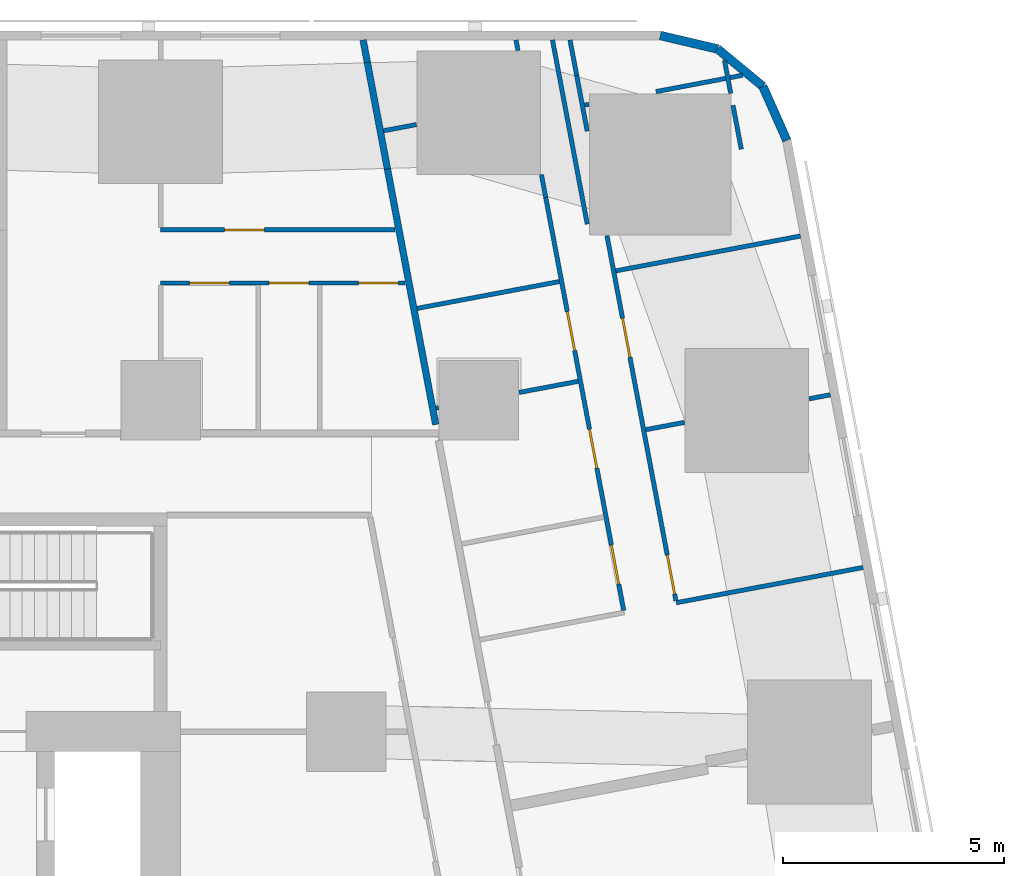
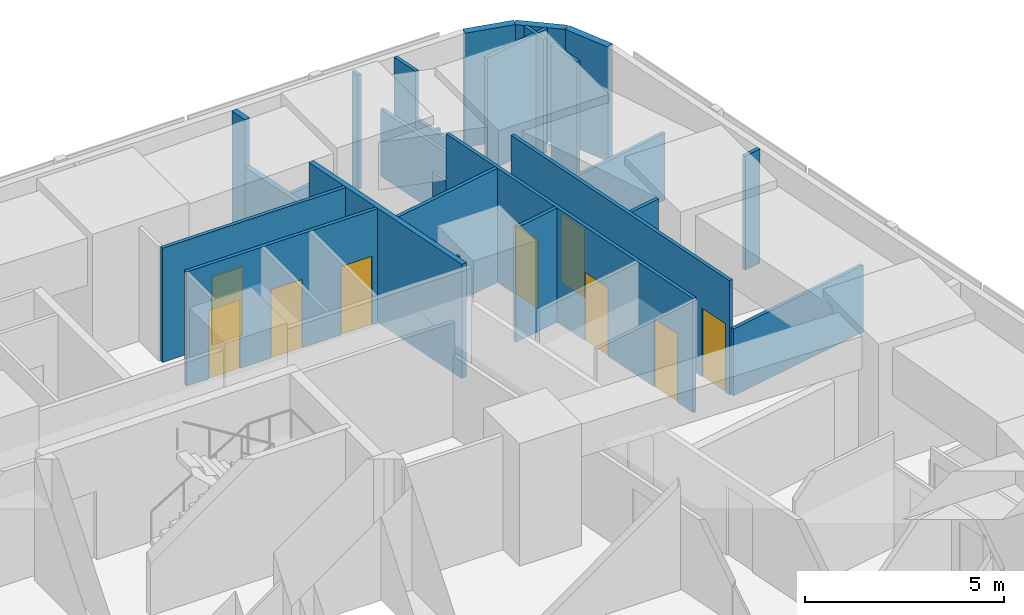
# One storey, part 13 of 18: 27 walls, 9 doors, 9 openings.
"""IFC4 building model written with IfcOpenShell, lengths in metres."""

from ifc_helpers import new_model, si_unit, direction, frame, frame_2d, origin, place, context, subcontext, project, spatial, rectangle, extrude, material, layer, layer_set, type_object, element, fill, save


model = new_model("IFC4")

# Units and contexts
model_context = context("Model", 3, precision=1e-05, world=origin(), true_north=direction((0.0, 1.0)))
body_context = subcontext(model_context, "Body", "Model", "MODEL_VIEW")
ifc_project = project(units=[si_unit("LENGTHUNIT", "METRE"), si_unit("AREAUNIT", "SQUARE_METRE"), si_unit("VOLUMEUNIT", "CUBIC_METRE"), si_unit("PLANEANGLEUNIT", "RADIAN"), si_unit("MASSUNIT", "GRAM", prefix="KILO")], contexts=[model_context])

# Site, building, storey
site_placement = place(None, origin())
site = spatial("IfcSite", under=ifc_project, at=site_placement, CompositionType="ELEMENT")
building_placement = place(site_placement, origin())
building = spatial("IfcBuilding", under=site, at=building_placement, Name="Sheger Commons Tower", CompositionType="ELEMENT")
storey_placement = place(building_placement, frame((0.0, 0.0, 38.75)))
storey = spatial("IfcBuildingStorey", under=building, at=storey_placement, Name="L09", CompositionType="ELEMENT", Elevation=38.75)

# Walls
ifc_material_1 = material(Name="Hollow concrete block masonry, skimmed both sides", Category="masonry")
ifc_layer_1 = layer(ifc_material_1, 0.14990234375)
ifc_layer_set_1 = layer_set([ifc_layer_1], Name="CORRIDOR WALL 150")
wall_type_1 = type_object("IfcWallType", Name="CORRIDOR WALL 150", PredefinedType="SOLIDWALL", material=ifc_layer_set_1)
wall_1_placement = place(storey_placement, frame((33.382080078125, 45.64990234375, 0.0), z_axis=(0.0, 0.0, 1.0), x_axis=(0.185657456326, -0.982614527122, 0.0)))
element("IfcWall", 1, at=wall_1_placement, inside=storey, type_object=wall_type_1, Name="Corridor wall L09", PredefinedType="SOLIDWALL", context=body_context, shape_type="SweptSolid", body=[
    extrude(rectangle(XDim=0.516845703125, YDim=0.14990234375, at=frame_2d((0.25830078125, 0.0))), origin(), (0.0, 0.0, 1.0), 3.5),
])
wall_2_placement = place(storey_placement, frame((33.47802734375, 45.14208984375, 0.0), z_axis=(0.0, 0.0, 1.0), x_axis=(0.185393362436, -0.982664388876, 0.0)))
element("IfcWall", 2, at=wall_2_placement, inside=storey, type_object=wall_type_1, Name="Corridor wall L09", PredefinedType="SOLIDWALL", context=body_context, shape_type="SweptSolid", body=[
    extrude(rectangle(XDim=2.45458984375, YDim=0.14990234375, at=frame_2d((1.227294921875, 0.0))), origin(), (0.0, 0.0, 1.0), 2.050048828125),
])
wall_3_placement = place(storey_placement, frame((33.93310546875, 42.72998046875, 0.0), z_axis=(0.0, 0.0, 1.0), x_axis=(0.185617897238, -0.982622000682, 0.0)))
element("IfcWall", 3, at=wall_3_placement, inside=storey, type_object=wall_type_1, Name="Corridor wall L09", PredefinedType="SOLIDWALL", context=body_context, shape_type="SweptSolid", body=[
    extrude(rectangle(XDim=5.88720703125, YDim=0.14990234375, at=frame_2d((2.943603515625, 0.0))), origin(), (0.0, 0.0, 1.0), 3.5),
])
ifc_material_2 = material(Name="Rendered concrete block masonry, dark grey", Category="masonry")
ifc_layer_2 = layer(ifc_material_2, 0.199951171875)
ifc_layer_set_2 = layer_set([ifc_layer_2], Name="FACADE WALL 200")
wall_type_2 = type_object("IfcWallType", Name="FACADE WALL 200", PredefinedType="SOLIDWALL", material=ifc_layer_set_2)
wall_4_placement = place(storey_placement, frame((42.969970703125, 43.376953125, 0.0), z_axis=(0.0, 0.0, 1.0), x_axis=(-0.406002956633, 0.913871762998, 0.0)))
element("IfcWall", 4, at=wall_4_placement, inside=storey, type_object=wall_type_2, Name="Facade wall L09", PredefinedType="SOLIDWALL", context=body_context, shape_type="SweptSolid", body=[
    extrude(rectangle(XDim=1.33740234375, YDim=0.199951171875, at=frame_2d((0.668701171875, 0.0))), origin(), (0.0, 0.0, 1.0), 3.5),
])
wall_5_placement = place(storey_placement, frame((42.427001953125, 44.59912109375, 0.0), z_axis=(0.0, 0.0, 1.0), x_axis=(-0.770091412544, 0.637933551655, 0.0)))
element("IfcWall", 5, at=wall_5_placement, inside=storey, type_object=wall_type_2, Name="Facade wall L09", PredefinedType="SOLIDWALL", context=body_context, shape_type="SweptSolid", body=[
    extrude(rectangle(XDim=1.324462890625, YDim=0.199951171875, at=frame_2d((0.662109375, 0.0))), origin(), (0.0, 0.0, 1.0), 3.5),
])
wall_6_placement = place(storey_placement, frame((41.406982421875, 45.444091796875, 0.0), z_axis=(0.0, 0.0, 1.0), x_axis=(-0.973453091607, 0.228886606077, 0.0)))
element("IfcWall", 6, at=wall_6_placement, inside=storey, type_object=wall_type_2, Name="Facade wall L09", PredefinedType="SOLIDWALL", context=body_context, shape_type="SweptSolid", body=[
    extrude(rectangle(XDim=1.33642578125, YDim=0.199951171875, at=frame_2d((0.668212890625, 0.0))), origin(), (0.0, 0.0, 1.0), 3.5),
])
ifc_material_3 = material(Name="Gypsum board on steel studs", Category="steel")
ifc_layer_3 = layer(ifc_material_3, 0.10009765625)
ifc_layer_set_3 = layer_set([ifc_layer_3], Name="PARTITION 100")
wall_type_3 = type_object("IfcWallType", Name="PARTITION 100", PredefinedType="PARTITIONING", material=ifc_layer_set_3)
wall_7_placement = place(storey_placement, frame((38.4541015625, 41.48291015625, 0.0), z_axis=(0.0, 0.0, 1.0), x_axis=(-0.185609245326, 0.982623634994, 0.0)))
element("IfcWall", 7, at=wall_7_placement, inside=storey, type_object=wall_type_3, Name="Partition L09", PredefinedType="PARTITIONING", context=body_context, shape_type="SweptSolid", body=[
    extrude(rectangle(XDim=4.24072265625, YDim=0.10009765625, at=frame_2d((2.120361328125, 0.0))), origin(), (0.0, 0.0, 1.0), 2.050048828125),
])
wall_8_placement = place(storey_placement, frame((41.55908203125, 45.18798828125, 0.0), z_axis=(0.0, 0.0, 1.0), x_axis=(0.185063078849, -0.98272664401, 0.0)))
element("IfcWall", 8, at=wall_8_placement, inside=storey, type_object=wall_type_3, Name="Partition L09", PredefinedType="PARTITIONING", context=body_context, shape_type="SweptSolid", body=[
    extrude(rectangle(XDim=0.76123046875, YDim=0.10009765625, at=frame_2d((0.380615234375, 0.0))), origin(), (0.0, 0.0, 1.0), 3.5),
])
wall_9_placement = place(storey_placement, frame((41.7509765625, 44.169921875, 0.0), z_axis=(0.0, 0.0, 1.0), x_axis=(0.186024046654, -0.98254519187, 0.0)))
element("IfcWall", 9, at=wall_9_placement, inside=storey, type_object=wall_type_3, Name="Partition L09", PredefinedType="PARTITIONING", context=body_context, shape_type="SweptSolid", body=[
    extrude(rectangle(XDim=1.010498046875, YDim=0.10009765625, at=frame_2d((0.50537109375, 0.0))), origin(), (0.0, 0.0, 1.0), 3.5),
])
wall_10_placement = place(storey_placement, frame((38.06298828125, 45.64990234375, 0.0), z_axis=(0.0, 0.0, 1.0), x_axis=(0.186109918919, -0.982528929895, 0.0)))
element("IfcWall", 10, at=wall_10_placement, inside=storey, type_object=wall_type_3, Name="Partition L09", PredefinedType="PARTITIONING", context=body_context, shape_type="SweptSolid", body=[
    extrude(rectangle(XDim=0.817138671875, YDim=0.10009765625, at=frame_2d((0.40869140625, 0.0))), origin(), (0.0, 0.0, 1.0), 3.5),
])
wall_11_placement = place(storey_placement, frame((38.215087890625, 44.846923828125, 0.0), z_axis=(0.0, 0.0, 1.0), x_axis=(0.185449486507, -0.982653798626, 0.0)))
element("IfcWall", 11, at=wall_11_placement, inside=storey, type_object=wall_type_3, Name="Partition L09", PredefinedType="PARTITIONING", context=body_context, shape_type="SweptSolid", body=[
    extrude(rectangle(XDim=1.2822265625, YDim=0.10009765625, at=frame_2d((0.64111328125, 0.0))), origin(), (0.0, 0.0, 1.0), 2.050048828125),
])

# Wall, openings, doors
wall_12_placement = place(storey_placement, frame((38.89990234375, 41.219970703125, 0.0), z_axis=(0.0, 0.0, 1.0), x_axis=(0.18556562412, -0.982631873666, 0.0)))
wall_12 = element("IfcWall", 12, at=wall_12_placement, inside=storey, type_object=wall_type_3, Name="Partition L09", PredefinedType="PARTITIONING", context=body_context, shape_type="SweptSolid", body=[
    extrude(rectangle(XDim=8.40185546875, YDim=0.10009765625, at=frame_2d((4.200927734375, 0.0))), origin(), (0.0, 0.0, 1.0), 3.5),
])
opening_1_placement = place(wall_12_placement, frame((7.35205078125, 0.0, 0.0)))
opening_1 = element("IfcOpeningElement", 13, at=opening_1_placement, cuts=wall_12, Name="Opening D2", PredefinedType="OPENING", context=body_context, shape_type="SweptSolid", body=[
    extrude(rectangle(XDim=0.89990234375, YDim=2.10009765625, at=frame_2d((0.449951171875, 1.050048828125))), frame((0.0, 0.06005859375, 0.0), z_axis=(0.0, -1.0, 0.0), x_axis=(1.0, 0.0, 0.0)), (0.0, 0.0, 1.0), 0.1201171875),
])
opening_2_placement = place(wall_12_placement, frame((1.89990234375, 0.0, 0.0)))
opening_2 = element("IfcOpeningElement", 14, at=opening_2_placement, cuts=wall_12, Name="Opening D2", PredefinedType="OPENING", context=body_context, shape_type="SweptSolid", body=[
    extrude(rectangle(XDim=0.89990234375, YDim=2.10009765625, at=frame_2d((0.449951171875, 1.050048828125))), frame((0.0, 0.06005859375, 0.0), z_axis=(0.0, -1.0, 0.0), x_axis=(1.0, 0.0, 0.0)), (0.0, 0.0, 1.0), 0.1201171875),
])
ifc_material_4 = material(Name="Timber door set", Category="wood")
door_type = type_object("IfcDoorType", Name="INTERNAL DOOR 900x2100", OperationType="NOTDEFINED", PredefinedType="DOOR", material=ifc_material_4)
door_1_placement = place(opening_1_placement, origin())
door_1 = element("IfcDoor", 15, at=door_1_placement, inside=storey, type_object=door_type, Name="Main bedroom door", OperationType="SINGLE_SWING_RIGHT", OverallHeight=2.10009765625, OverallWidth=0.89990234375, PredefinedType="DOOR", context=body_context, shape_type="SweptSolid", body=[
    extrude(rectangle(XDim=0.89990234375, YDim=2.10009765625, at=frame_2d((0.449951171875, 1.050048828125))), frame((0.0, 0.02490234375, 0.0), z_axis=(0.0, -1.0, 0.0), x_axis=(1.0, 0.0, 0.0)), (0.0, 0.0, 1.0), 0.050048828125),
])
fill(opening_1, door_1)
door_2_placement = place(opening_2_placement, origin())
door_2 = element("IfcDoor", 16, at=door_2_placement, inside=storey, type_object=door_type, Name="Bedroom 2 door", OperationType="SINGLE_SWING_LEFT", OverallHeight=2.10009765625, OverallWidth=0.89990234375, PredefinedType="DOOR", context=body_context, shape_type="SweptSolid", body=[
    extrude(rectangle(XDim=0.89990234375, YDim=2.10009765625, at=frame_2d((0.449951171875, 1.050048828125))), frame((0.0, 0.02490234375, 0.0), z_axis=(0.0, -1.0, 0.0), x_axis=(1.0, 0.0, 0.0)), (0.0, 0.0, 1.0), 0.050048828125),
])
fill(opening_2, door_2)

# Walls
wall_13_placement = place(storey_placement, frame((36.842041015625, 45.64990234375, 0.0), z_axis=(0.0, 0.0, 1.0), x_axis=(0.183986661451, -0.982928740249, 0.0)))
element("IfcWall", 17, at=wall_13_placement, inside=storey, type_object=wall_type_3, Name="Partition L09", PredefinedType="PARTITIONING", context=body_context, shape_type="SweptSolid", body=[
    extrude(rectangle(XDim=0.244140625, YDim=0.10009765625, at=frame_2d((0.1220703125, 0.0))), origin(), (0.0, 0.0, 1.0), 3.5),
])
wall_14_placement = place(storey_placement, frame((37.4169921875, 42.60205078125, 0.0), z_axis=(0.0, 0.0, 1.0), x_axis=(0.185672001976, -0.982611778721, 0.0)))
element("IfcWall", 18, at=wall_14_placement, inside=storey, type_object=wall_type_3, Name="Partition L09", PredefinedType="PARTITIONING", context=body_context, shape_type="SweptSolid", body=[
    extrude(rectangle(XDim=0.52197265625, YDim=0.10009765625, at=frame_2d((0.260986328125, 0.0))), origin(), (0.0, 0.0, 1.0), 2.050048828125),
])

# Wall, openings, doors
wall_15_placement = place(storey_placement, frame((37.513916015625, 42.089111328125, 0.0), z_axis=(0.0, 0.0, 1.0), x_axis=(0.185543450498, -0.982636060796, 0.0)))
wall_15 = element("IfcWall", 19, at=wall_15_placement, inside=storey, type_object=wall_type_3, Name="Partition L09", PredefinedType="PARTITIONING", context=body_context, shape_type="SweptSolid", body=[
    extrude(rectangle(XDim=9.513427734375, YDim=0.10009765625, at=frame_2d((4.7568359375, 0.0))), origin(), (0.0, 0.0, 1.0), 3.5),
])
opening_3_placement = place(wall_15_placement, frame((8.008056640625, 0.0, 0.0)))
opening_3 = element("IfcOpeningElement", 20, at=opening_3_placement, cuts=wall_15, Name="Opening D2", PredefinedType="OPENING", context=body_context, shape_type="SweptSolid", body=[
    extrude(rectangle(XDim=0.89990234375, YDim=2.10009765625, at=frame_2d((0.449951171875, 1.050048828125))), frame((0.0, 0.06005859375, 0.0), z_axis=(0.0, -1.0, 0.0), x_axis=(1.0, 0.0, 0.0)), (0.0, 0.0, 1.0), 0.1201171875),
])
opening_4_placement = place(wall_15_placement, frame((2.6298828125, 0.0, 0.0)))
opening_4 = element("IfcOpeningElement", 21, at=opening_4_placement, cuts=wall_15, Name="Opening D2", PredefinedType="OPENING", context=body_context, shape_type="SweptSolid", body=[
    extrude(rectangle(XDim=0.89990234375, YDim=2.10009765625, at=frame_2d((0.449951171875, 1.050048828125))), frame((0.0, 0.06005859375, 0.0), z_axis=(0.0, -1.0, 0.0), x_axis=(1.0, 0.0, 0.0)), (0.0, 0.0, 1.0), 0.1201171875),
])
opening_5_placement = place(wall_15_placement, frame((5.341064453125, 0.0, 0.0)))
opening_5 = element("IfcOpeningElement", 22, at=opening_5_placement, cuts=wall_15, Name="Opening D2", PredefinedType="OPENING", context=body_context, shape_type="SweptSolid", body=[
    extrude(rectangle(XDim=0.89990234375, YDim=2.10009765625, at=frame_2d((0.449951171875, 1.050048828125))), frame((0.0, 0.06005859375, 0.0), z_axis=(0.0, -1.0, 0.0), x_axis=(1.0, 0.0, 0.0)), (0.0, 0.0, 1.0), 0.1201171875),
])
door_3_placement = place(opening_3_placement, origin())
door_3 = element("IfcDoor", 23, at=door_3_placement, inside=storey, type_object=door_type, Name="Bathroom door", OperationType="SINGLE_SWING_LEFT", OverallHeight=2.10009765625, OverallWidth=0.89990234375, PredefinedType="DOOR", context=body_context, shape_type="SweptSolid", body=[
    extrude(rectangle(XDim=0.89990234375, YDim=2.10009765625, at=frame_2d((0.449951171875, 1.050048828125))), frame((0.0, 0.02490234375, 0.0), z_axis=(0.0, -1.0, 0.0), x_axis=(1.0, 0.0, 0.0)), (0.0, 0.0, 1.0), 0.050048828125),
])
fill(opening_3, door_3)
door_4_placement = place(opening_4_placement, origin())
door_4 = element("IfcDoor", 24, at=door_4_placement, inside=storey, type_object=door_type, Name="Laundry room door", OperationType="SINGLE_SWING_RIGHT", OverallHeight=2.10009765625, OverallWidth=0.89990234375, PredefinedType="DOOR", context=body_context, shape_type="SweptSolid", body=[
    extrude(rectangle(XDim=0.89990234375, YDim=2.10009765625, at=frame_2d((0.449951171875, 1.050048828125))), frame((0.0, 0.02490234375, 0.0), z_axis=(0.0, -1.0, 0.0), x_axis=(1.0, 0.0, 0.0)), (0.0, 0.0, 1.0), 0.050048828125),
])
fill(opening_4, door_4)
door_5_placement = place(opening_5_placement, origin())
door_5 = element("IfcDoor", 25, at=door_5_placement, inside=storey, type_object=door_type, Name="Store door", OperationType="SINGLE_SWING_RIGHT", OverallHeight=2.10009765625, OverallWidth=0.89990234375, PredefinedType="DOOR", context=body_context, shape_type="SweptSolid", body=[
    extrude(rectangle(XDim=0.89990234375, YDim=2.10009765625, at=frame_2d((0.449951171875, 1.050048828125))), frame((0.0, 0.02490234375, 0.0), z_axis=(0.0, -1.0, 0.0), x_axis=(1.0, 0.0, 0.0)), (0.0, 0.0, 1.0), 0.050048828125),
])
fill(opening_5, door_5)

# Walls
wall_16_placement = place(storey_placement, frame((41.968017578125, 44.85009765625, 0.0), z_axis=(0.0, 0.0, 1.0), x_axis=(-0.982543651732, -0.186032181195, 0.0)))
element("IfcWall", 26, at=wall_16_placement, inside=storey, type_object=wall_type_3, Name="Partition L09", PredefinedType="PARTITIONING", context=body_context, shape_type="SweptSolid", body=[
    extrude(rectangle(XDim=1.994873046875, YDim=0.10009765625, at=frame_2d((0.99755859375, 0.0))), origin(), (0.0, 0.0, 1.0), 3.5),
])
wall_17_placement = place(storey_placement, frame((38.491943359375, 44.193115234375, 0.0), z_axis=(0.0, 0.0, 1.0), x_axis=(-0.981954528773, -0.189117168504, 0.0)))
element("IfcWall", 27, at=wall_17_placement, inside=storey, type_object=wall_type_3, Name="Partition L09", PredefinedType="PARTITIONING", context=body_context, shape_type="SweptSolid", body=[
    extrude(rectangle(XDim=0.1005859375, YDim=0.10009765625, at=frame_2d((0.05029296875, 0.0))), origin(), (0.0, 0.0, 1.0), 2.050048828125),
])
wall_18_placement = place(storey_placement, frame((43.277099609375, 41.2119140625, 0.0), z_axis=(0.0, 0.0, 1.0), x_axis=(-0.982665405803, -0.185387972203, 0.0)))
element("IfcWall", 28, at=wall_18_placement, inside=storey, type_object=wall_type_3, Name="Partition L09", PredefinedType="PARTITIONING", context=body_context, shape_type="SweptSolid", body=[
    extrude(rectangle(XDim=4.249755859375, YDim=0.10009765625, at=frame_2d((2.125, 0.0))), origin(), (0.0, 0.0, 1.0), 2.050048828125),
])
wall_19_placement = place(storey_placement, frame((43.955078125, 37.6201171875, 0.0), z_axis=(0.0, 0.0, 1.0), x_axis=(-0.982543152073, -0.186034820164, 0.0)))
element("IfcWall", 29, at=wall_19_placement, inside=storey, type_object=wall_type_3, Name="Partition L09", PredefinedType="PARTITIONING", context=body_context, shape_type="SweptSolid", body=[
    extrude(rectangle(XDim=0.489501953125, YDim=0.10009765625, at=frame_2d((0.24462890625, 0.0))), origin(), (0.0, 0.0, 1.0), 3.5),
])
wall_20_placement = place(storey_placement, frame((40.654052734375, 36.99609375, 0.0), z_axis=(0.0, 0.0, 1.0), x_axis=(-0.982672962335, -0.185347913655, 0.0)))
element("IfcWall", 30, at=wall_20_placement, inside=storey, type_object=wall_type_3, Name="Partition L09", PredefinedType="PARTITIONING", context=body_context, shape_type="SweptSolid", body=[
    extrude(rectangle(XDim=0.890380859375, YDim=0.10009765625, at=frame_2d((0.4453125, 0.0))), origin(), (0.0, 0.0, 1.0), 3.5),
])
wall_21_placement = place(storey_placement, frame((44.693115234375, 33.712890625, 0.0), z_axis=(0.0, 0.0, 1.0), x_axis=(-0.982633535512, -0.185556823879, 0.0)))
element("IfcWall", 31, at=wall_21_placement, inside=storey, type_object=wall_type_3, Name="Partition L09", PredefinedType="PARTITIONING", context=body_context, shape_type="SweptSolid", body=[
    extrude(rectangle(XDim=4.2998046875, YDim=0.10009765625, at=frame_2d((2.14990234375, 0.0))), origin(), (0.0, 0.0, 1.0), 2.050048828125),
])
wall_22_placement = place(storey_placement, frame((34.590087890625, 43.73388671875, 0.0), z_axis=(0.0, 0.0, 1.0), x_axis=(-0.98274036184, -0.184990219229, 0.0)))
element("IfcWall", 32, at=wall_22_placement, inside=storey, type_object=wall_type_3, Name="Partition L09", PredefinedType="PARTITIONING", context=body_context, shape_type="SweptSolid", body=[
    extrude(rectangle(XDim=0.756103515625, YDim=0.10009765625, at=frame_2d((0.3779296875, 0.0))), origin(), (0.0, 0.0, 1.0), 2.050048828125),
])
wall_23_placement = place(storey_placement, frame((37.822998046875, 40.181884765625, 0.0), z_axis=(0.0, 0.0, 1.0), x_axis=(-0.982664729897, -0.18539155487, 0.0)))
element("IfcWall", 33, at=wall_23_placement, inside=storey, type_object=wall_type_3, Name="Partition L09", PredefinedType="PARTITIONING", context=body_context, shape_type="SweptSolid", body=[
    extrude(rectangle(XDim=3.273681640625, YDim=0.10009765625, at=frame_2d((1.63671875, 0.0))), origin(), (0.0, 0.0, 1.0), 3.5),
])
wall_24_placement = place(storey_placement, frame((38.25, 37.925048828125, 0.0), z_axis=(0.0, 0.0, 1.0), x_axis=(-0.982650574676, -0.185466568658, 0.0)))
element("IfcWall", 34, at=wall_24_placement, inside=storey, type_object=wall_type_3, Name="Partition L09", PredefinedType="PARTITIONING", context=body_context, shape_type="SweptSolid", body=[
    extrude(rectangle(XDim=1.36376953125, YDim=0.10009765625, at=frame_2d((0.681884765625, 0.0))), origin(), (0.0, 0.0, 1.0), 3.5),
])
wall_25_placement = place(storey_placement, frame((35.090087890625, 37.327880859375, 0.0), z_axis=(0.0, 0.0, 1.0), x_axis=(-0.982590620415, -0.185783940835, 0.0)))
element("IfcWall", 35, at=wall_25_placement, inside=storey, type_object=wall_type_3, Name="Partition L09", PredefinedType="PARTITIONING", context=body_context, shape_type="SweptSolid", body=[
    extrude(rectangle(XDim=0.05908203125, YDim=0.10009765625, at=frame_2d((0.029541015625, 0.0))), origin(), (0.0, 0.0, 1.0), 3.5),
])

# Wall, opening, door
wall_26_placement = place(storey_placement, frame((28.800048828125, 41.35009765625, 0.0), z_axis=(0.0, 0.0, 1.0), x_axis=(1.0, 0.0, 0.0)))
wall_26 = element("IfcWall", 36, at=wall_26_placement, inside=storey, type_object=wall_type_3, Name="Partition L09", PredefinedType="PARTITIONING", context=body_context, shape_type="SweptSolid", body=[
    extrude(rectangle(XDim=5.307861328125, YDim=0.10009765625, at=frame_2d((2.65380859375, 0.0))), origin(), (0.0, 0.0, 1.0), 3.5),
])
opening_6_placement = place(wall_26_placement, frame((1.449951171875, 0.0, 0.0)))
opening_6 = element("IfcOpeningElement", 37, at=opening_6_placement, cuts=wall_26, Name="Opening D2", PredefinedType="OPENING", context=body_context, shape_type="SweptSolid", body=[
    extrude(rectangle(XDim=0.89990234375, YDim=2.10009765625, at=frame_2d((0.449951171875, 1.050048828125))), frame((0.0, 0.06005859375, 0.0), z_axis=(0.0, -1.0, 0.0), x_axis=(1.0, 0.0, 0.0)), (0.0, 0.0, 1.0), 0.1201171875),
])
door_6_placement = place(opening_6_placement, origin())
door_6 = element("IfcDoor", 38, at=door_6_placement, inside=storey, type_object=door_type, Name="Main bedroom door", OperationType="SINGLE_SWING_RIGHT", OverallHeight=2.10009765625, OverallWidth=0.89990234375, PredefinedType="DOOR", context=body_context, shape_type="SweptSolid", body=[
    extrude(rectangle(XDim=0.89990234375, YDim=2.10009765625, at=frame_2d((0.449951171875, 1.050048828125))), frame((0.0, 0.02490234375, 0.0), z_axis=(0.0, -1.0, 0.0), x_axis=(1.0, 0.0, 0.0)), (0.0, 0.0, 1.0), 0.050048828125),
])
fill(opening_6, door_6)

# Wall, openings, doors
wall_27_placement = place(storey_placement, frame((28.800048828125, 40.14990234375, 0.0), z_axis=(0.0, 0.0, 1.0), x_axis=(1.0, 0.0, 0.0)))
wall_27 = element("IfcWall", 39, at=wall_27_placement, inside=storey, type_object=wall_type_3, Name="Partition L09", PredefinedType="PARTITIONING", context=body_context, shape_type="SweptSolid", body=[
    extrude(rectangle(XDim=5.534912109375, YDim=0.10009765625, at=frame_2d((2.767578125, 0.0))), origin(), (0.0, 0.0, 1.0), 3.5),
])
opening_7_placement = place(wall_27_placement, frame((0.655029296875, 0.0, 0.0)))
opening_7 = element("IfcOpeningElement", 40, at=opening_7_placement, cuts=wall_27, Name="Opening D2", PredefinedType="OPENING", context=body_context, shape_type="SweptSolid", body=[
    extrude(rectangle(XDim=0.89990234375, YDim=2.10009765625, at=frame_2d((0.449951171875, 1.050048828125))), frame((0.0, 0.06005859375, 0.0), z_axis=(0.0, -1.0, 0.0), x_axis=(1.0, 0.0, 0.0)), (0.0, 0.0, 1.0), 0.1201171875),
])
opening_8_placement = place(wall_27_placement, frame((4.48095703125, 0.0, 0.0)))
opening_8 = element("IfcOpeningElement", 41, at=opening_8_placement, cuts=wall_27, Name="Opening D2", PredefinedType="OPENING", context=body_context, shape_type="SweptSolid", body=[
    extrude(rectangle(XDim=0.89990234375, YDim=2.10009765625, at=frame_2d((0.449951171875, 1.050048828125))), frame((0.0, 0.06005859375, 0.0), z_axis=(0.0, -1.0, 0.0), x_axis=(1.0, 0.0, 0.0)), (0.0, 0.0, 1.0), 0.1201171875),
])
opening_9_placement = place(wall_27_placement, frame((2.455078125, 0.0, 0.0)))
opening_9 = element("IfcOpeningElement", 42, at=opening_9_placement, cuts=wall_27, Name="Opening D2", PredefinedType="OPENING", context=body_context, shape_type="SweptSolid", body=[
    extrude(rectangle(XDim=0.89990234375, YDim=2.10009765625, at=frame_2d((0.449951171875, 1.050048828125))), frame((0.0, 0.06005859375, 0.0), z_axis=(0.0, -1.0, 0.0), x_axis=(1.0, 0.0, 0.0)), (0.0, 0.0, 1.0), 0.1201171875),
])
door_7_placement = place(opening_7_placement, origin())
door_7 = element("IfcDoor", 43, at=door_7_placement, inside=storey, type_object=door_type, Name="Bathroom door", OperationType="SINGLE_SWING_RIGHT", OverallHeight=2.10009765625, OverallWidth=0.89990234375, PredefinedType="DOOR", context=body_context, shape_type="SweptSolid", body=[
    extrude(rectangle(XDim=0.89990234375, YDim=2.10009765625, at=frame_2d((0.449951171875, 1.050048828125))), frame((0.0, 0.02490234375, 0.0), z_axis=(0.0, -1.0, 0.0), x_axis=(1.0, 0.0, 0.0)), (0.0, 0.0, 1.0), 0.050048828125),
])
fill(opening_7, door_7)
door_8_placement = place(opening_8_placement, origin())
door_8 = element("IfcDoor", 44, at=door_8_placement, inside=storey, type_object=door_type, Name="Laundry room door", OperationType="SINGLE_SWING_LEFT", OverallHeight=2.10009765625, OverallWidth=0.89990234375, PredefinedType="DOOR", context=body_context, shape_type="SweptSolid", body=[
    extrude(rectangle(XDim=0.89990234375, YDim=2.10009765625, at=frame_2d((0.449951171875, 1.050048828125))), frame((0.0, 0.02490234375, 0.0), z_axis=(0.0, -1.0, 0.0), x_axis=(1.0, 0.0, 0.0)), (0.0, 0.0, 1.0), 0.050048828125),
])
fill(opening_8, door_8)
door_9_placement = place(opening_9_placement, origin())
door_9 = element("IfcDoor", 45, at=door_9_placement, inside=storey, type_object=door_type, Name="Store door", OperationType="SINGLE_SWING_LEFT", OverallHeight=2.10009765625, OverallWidth=0.89990234375, PredefinedType="DOOR", context=body_context, shape_type="SweptSolid", body=[
    extrude(rectangle(XDim=0.89990234375, YDim=2.10009765625, at=frame_2d((0.449951171875, 1.050048828125))), frame((0.0, 0.02490234375, 0.0), z_axis=(0.0, -1.0, 0.0), x_axis=(1.0, 0.0, 0.0)), (0.0, 0.0, 1.0), 0.050048828125),
])
fill(opening_9, door_9)

save(model, "model.ifc")
